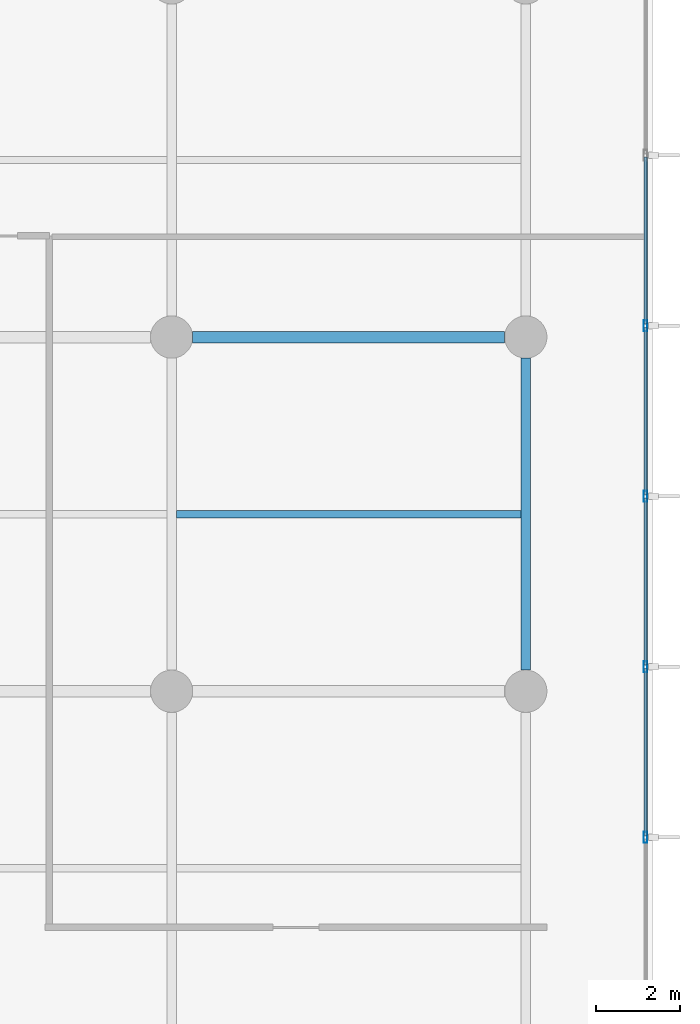
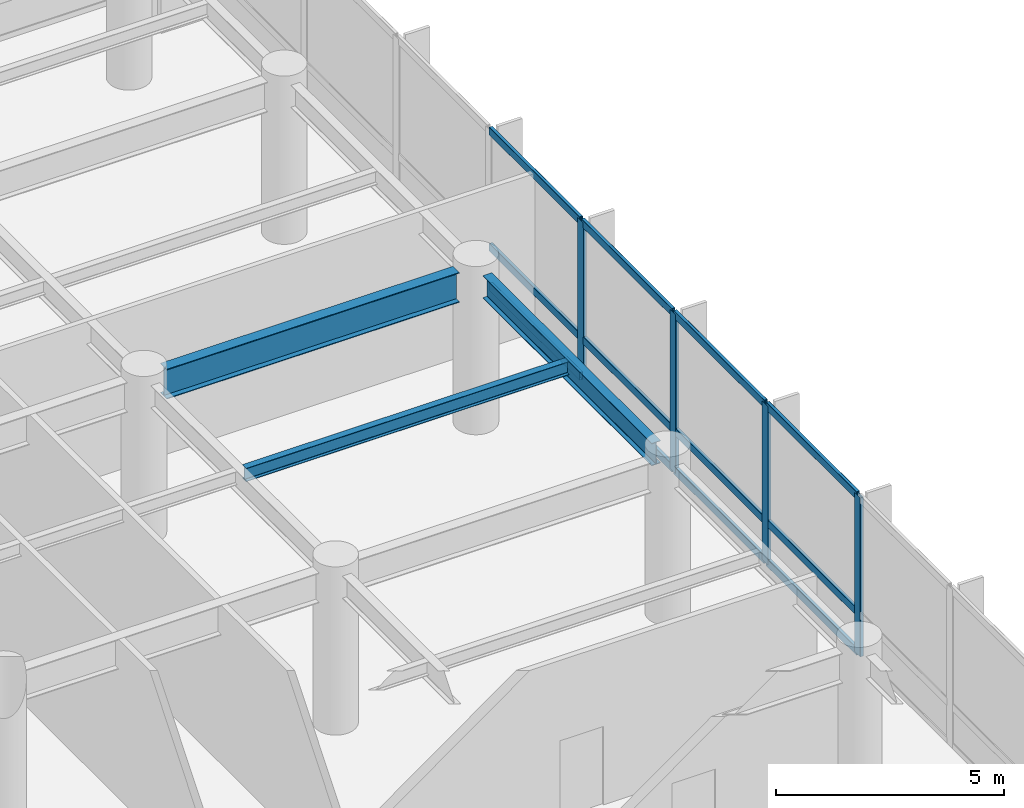
# One storey, part 9 of 26: 16 members, 3 beams, 1 element without a shape of its own.
"""IFC4 building model written with IfcOpenShell, lengths in metres."""

import ifcopenshell
import ifcopenshell.guid

model = None  # the IFC model being written
_history = None  # IfcOwnerHistory: only IFC2X3 demands one
_inside = {}  # id of a spatial element -> (the spatial element, [elements in it])
_under = {}  # id of a project, library or spatial element -> (it, [spatial elements below it])
_declared = {}  # id of a project -> (the project, [libraries it declares])
_typed = {}  # id of a type object -> (the type object, [elements of that type])
_made_of = {}  # id of a material, layer set ... -> (it, [elements and type objects made of it])


def new_model(schema):
    """Start an empty IFC model of exactly this schema.

    Asked for "IFC4X3", IfcOpenShell would pick the latest addendum, in which some entities
    have other attributes; the version numbers below select the first issue.
    IFC2X3 requires an IfcOwnerHistory on every rooted entity: one is made here for all.
    """
    global model, _history
    if schema == "IFC4X3":
        model = ifcopenshell.file(schema_version=(4, 3, 0, 0))
    else:
        model = ifcopenshell.file(schema=schema)
    _inside.clear()
    _under.clear()
    _declared.clear()
    _typed.clear()
    _made_of.clear()
    _history = None
    if model.schema == "IFC2X3":
        org = make("IfcOrganization", Name="unknown")
        user = make(
            "IfcPersonAndOrganization",
            ThePerson=make("IfcPerson", FamilyName="unknown"),
            TheOrganization=org,
        )
        app = make(
            "IfcApplication",
            ApplicationDeveloper=org,
            Version="unknown",
            ApplicationFullName="unknown",
            ApplicationIdentifier="unknown",
        )
        _history = make(
            "IfcOwnerHistory",
            OwningUser=user,
            OwningApplication=app,
            ChangeAction="ADDED",
            CreationDate=0,
        )
    return model


def make(cls, **values):
    """One entity of the class cls with the attributes given. An attribute that is None is left unset."""
    return model.create_entity(
        cls, **{name: value for name, value in values.items() if value is not None}
    )


def rooted(cls, **values):
    """An entity with a GlobalId (a new one), such as an element, a storey or a relation."""
    return make(cls, GlobalId=ifcopenshell.guid.new(), OwnerHistory=_history, **values)


def si_unit(unit_type, name, prefix=None):
    """IfcSIUnit, for example si_unit("LENGTHUNIT", "METRE", prefix="MILLI")."""
    return make("IfcSIUnit", UnitType=unit_type, Prefix=prefix, Name=name)


def assignment(units):
    """IfcUnitAssignment: the units of a project."""
    return None if units is None else make("IfcUnitAssignment", Units=units)


def point(xyz):
    """IfcCartesianPoint."""
    return None if xyz is None else make("IfcCartesianPoint", Coordinates=xyz)


def direction(xyz):
    """IfcDirection."""
    return None if xyz is None else make("IfcDirection", DirectionRatios=xyz)


def frame(location, z_axis=None, x_axis=None):
    """IfcAxis2Placement3D, a coordinate frame: its origin and axes. An axis left out is left unset."""
    return make(
        "IfcAxis2Placement3D",
        Location=point(location),
        Axis=direction(z_axis),
        RefDirection=direction(x_axis),
    )


def frame_2d(location, x_axis=None):
    """IfcAxis2Placement2D, a coordinate frame in the plane: its origin and x axis."""
    return make(
        "IfcAxis2Placement2D", Location=point(location), RefDirection=direction(x_axis)
    )


def origin():
    """The frame at (0, 0, 0) with its axes left unset."""
    return frame((0.0, 0.0, 0.0))


def origin_2d():
    """The frame at (0, 0) in the plane with its x axis left unset."""
    return frame_2d((0.0, 0.0))


def place(relative_to, where):
    """IfcLocalPlacement: puts the frame where relative to a parent placement (None: the world)."""
    return make(
        "IfcLocalPlacement", PlacementRelTo=relative_to, RelativePlacement=where
    )


def context(
    kind, dimensions, precision=None, world=None, true_north=None, identifier=None
):
    """IfcGeometricRepresentationContext, for example the 3D "Model" context."""
    return make(
        "IfcGeometricRepresentationContext",
        ContextIdentifier=identifier,
        ContextType=kind,
        CoordinateSpaceDimension=dimensions,
        Precision=precision,
        WorldCoordinateSystem=world,
        TrueNorth=true_north,
    )


def subcontext(parent, identifier, kind, view, scale=None):
    """IfcGeometricRepresentationSubContext, for example "Body" below "Model"."""
    return make(
        "IfcGeometricRepresentationSubContext",
        ContextIdentifier=identifier,
        ContextType=kind,
        ParentContext=parent,
        TargetScale=scale,
        TargetView=view,
    )


def project(units=None, contexts=None):
    """IfcProject with its units and contexts."""
    return rooted(
        "IfcProject",
        Name="project",
        RepresentationContexts=contexts,
        UnitsInContext=assignment(units),
    )


def spatial(cls, under=None, at=None, **own):
    """A site, building, storey or space (cls), placed at a placement, below another one or the project."""
    s = rooted(cls, ObjectPlacement=at, **own)
    if under is not None:
        _under.setdefault(under.id(), (under, []))[1].append(s)
    return s


def profile(cls, at=None, kind="AREA", **sizes):
    """A parametric profile (cls). Its sizes go by their IFC names, for example OverallWidth=200.0."""
    return make(cls, ProfileType=kind, Position=at, **sizes)


def hollow_rectangle(**sizes):
    """IfcRectangleHollowProfileDef."""
    return profile("IfcRectangleHollowProfileDef", **sizes)


def i_section(**sizes):
    """IfcIShapeProfileDef."""
    return profile("IfcIShapeProfileDef", **sizes)


def extrude(swept, where, along, depth):
    """IfcExtrudedAreaSolid: the profile swept, set in the frame where, extruded along a direction by depth."""
    return make(
        "IfcExtrudedAreaSolid",
        SweptArea=swept,
        Position=where,
        ExtrudedDirection=direction(along),
        Depth=depth,
    )


def shape(context_of_items, identifier, shape_type, items):
    """IfcShapeRepresentation: the items that make up one representation, for example the "Body"."""
    return make(
        "IfcShapeRepresentation",
        ContextOfItems=context_of_items,
        RepresentationIdentifier=identifier,
        RepresentationType=shape_type,
        Items=items,
    )


def material(Name=None, Category=None):
    """IfcMaterial."""
    return make("IfcMaterial", Name=Name, Category=Category)


def layer(
    of_material, thickness, ventilated=None, Name=None, Category=None, Priority=None
):
    """IfcMaterialLayer: one layer of a wall or slab, of a material (None: an air gap)."""
    return make(
        "IfcMaterialLayer",
        Material=of_material,
        LayerThickness=thickness,
        IsVentilated=ventilated,
        Name=Name,
        Category=Category,
        Priority=Priority,
    )


def layer_set(layers, Name=None):
    """IfcMaterialLayerSet."""
    return make("IfcMaterialLayerSet", MaterialLayers=layers, LayerSetName=Name)


def material_profile(
    of_material, cross_section, Name=None, Category=None, Priority=None
):
    """IfcMaterialProfile: a cross section and its material."""
    return make(
        "IfcMaterialProfile",
        Name=Name,
        Material=of_material,
        Profile=cross_section,
        Priority=Priority,
        Category=Category,
    )


def profile_set(profiles, Name=None, composite=None):
    """IfcMaterialProfileSet."""
    return make(
        "IfcMaterialProfileSet",
        Name=Name,
        MaterialProfiles=profiles,
        CompositeProfile=composite,
    )


def made_of(thing, what):
    """Note that an element or type object is made of a material, layer set ...; save() writes the relation."""
    if what is not None:
        _made_of.setdefault(what.id(), (what, []))[1].append(thing)
    return thing


def type_object(cls, material=None, **own):
    """A type object (cls), such as IfcWallType, which elements share."""
    return made_of(rooted(cls, **own), material)


def element(
    cls,
    number,
    at=None,
    inside=None,
    cuts=None,
    type_object=None,
    material=None,
    context=None,
    identifier="Body",
    shape_type=None,
    held_by="IfcProductDefinitionShape",
    body=None,
    shapes=None,
    **own,
):
    """One element of the class cls, such as IfcWall. Its Tag is "e" and its number.

    at: its placement. inside: the storey or other place that contains it. cuts: it is an
    opening in that element (IfcRelVoidsElement). A single representation is given by context,
    identifier, shape_type and body (its items); several are given by shapes. held_by: the class
    of the entity that holds the representations. save() writes the other relations.
    """
    e = rooted(cls, Tag="e%d" % number, ObjectPlacement=at, **own)
    if body is not None:
        shapes = [shape(context, identifier, shape_type, body)]
    if shapes is not None:
        e.Representation = make(held_by, Representations=shapes)
    if inside is not None:
        _inside.setdefault(inside.id(), (inside, []))[1].append(e)
    if cuts is not None:
        rooted(
            "IfcRelVoidsElement", RelatingBuildingElement=cuts, RelatedOpeningElement=e
        )
    if type_object is not None:
        _typed.setdefault(type_object.id(), (type_object, []))[1].append(e)
    return made_of(e, material)


def aggregate(whole, parts):
    """IfcRelAggregates: a whole, such as a stair, and the parts it consists of."""
    return rooted("IfcRelAggregates", RelatingObject=whole, RelatedObjects=parts)


def save(model, path):
    """Write the relations noted so far, then the file.

    IfcRelAggregates (storeys below a building ...), IfcRelContainedInSpatialStructure (elements
    in a storey), IfcRelDefinesByType, IfcRelAssociatesMaterial and IfcRelDeclares: one each for
    every whole, place, type object, material and project.
    """
    for whole, parts in _under.values():
        aggregate(whole, parts)
    for where, things in _inside.values():
        rooted(
            "IfcRelContainedInSpatialStructure",
            RelatedElements=things,
            RelatingStructure=where,
        )
    for kind, things in _typed.values():
        rooted("IfcRelDefinesByType", RelatedObjects=things, RelatingType=kind)
    for what, things in _made_of.values():
        rooted("IfcRelAssociatesMaterial", RelatedObjects=things, RelatingMaterial=what)
    for by, libraries in _declared.values():
        rooted("IfcRelDeclares", RelatingContext=by, RelatedDefinitions=libraries)
    model.write(path)


model = new_model("IFC4")

# Units and contexts
model_context = context("Model", 3, precision=1e-05, world=origin(), true_north=direction((0.0, 1.0)))
body_context = subcontext(model_context, "Body", "Model", "MODEL_VIEW")
ifc_project = project(units=[si_unit("LENGTHUNIT", "METRE"), si_unit("AREAUNIT", "SQUARE_METRE"), si_unit("VOLUMEUNIT", "CUBIC_METRE"), si_unit("PLANEANGLEUNIT", "RADIAN"), si_unit("MASSUNIT", "GRAM", prefix="KILO")], contexts=[model_context])

# Site, building, storey
site_placement = place(None, origin())
site = spatial("IfcSite", under=ifc_project, at=site_placement, CompositionType="ELEMENT")
building_placement = place(site_placement, origin())
building = spatial("IfcBuilding", under=site, at=building_placement, Name="Varnakote Quay Hospital", CompositionType="ELEMENT")
storey_placement = place(building_placement, frame((0.0, 0.0, 9.0)))
storey = spatial("IfcBuildingStorey", under=building, at=storey_placement, Name="L02", CompositionType="ELEMENT", Elevation=9.0)

# Beams
ifc_material_1 = material(Name="Structural steel AS/NZS 3679.1 Grade 350 L0 (fy 340 MPa)", Category="steel")
ifc_material_profile_1 = material_profile(ifc_material_1, i_section(OverallWidth=0.22802734375, OverallDepth=0.60205078125, WebThickness=0.010498046875, FlangeThickness=0.014892578125, FilletRadius=0.013916015625, at=origin_2d()), Name="610UB101")
ifc_profile_set_1 = profile_set([ifc_material_profile_1], Name="Structural steel AS/NZS 3679.1 Grade 350 L0 (fy 340 MPa)")
beam_type_1 = type_object("IfcBeamType", Name="BM-STL-610UB101", PredefinedType="BEAM", material=ifc_profile_set_1)
beam_1_placement = place(storey_placement, frame((84.0, 20.89990234375, 3.948974609375), z_axis=(0.0, 1.0, 0.0), x_axis=(-1.0, 0.0, 0.0)))
element("IfcBeam", 1, at=beam_1_placement, inside=storey, type_object=beam_type_1, Name="L02 Primary Tie Beam", PredefinedType="BEAM", context=body_context, shape_type="SweptSolid", body=[
    extrude(i_section(OverallWidth=0.22802734375, OverallDepth=0.60205078125, WebThickness=0.010498046875, FlangeThickness=0.014892578125, FilletRadius=0.013916015625, at=origin_2d()), origin(), (0.0, 0.0, 1.0), 7.400146484375),
])
ifc_material_2 = material(Name="Structural steel AS/NZS 3678 Grade 350 (fy 340 MPa)", Category="steel")
ifc_material_profile_2 = material_profile(ifc_material_2, i_section(OverallWidth=0.27490234375, OverallDepth=0.800048828125, WebThickness=0.010009765625, FlangeThickness=0.02001953125, at=origin_2d()), Name="800WB146")
ifc_profile_set_2 = profile_set([ifc_material_profile_2], Name="Structural steel AS/NZS 3678 Grade 350 (fy 340 MPa)")
beam_type_2 = type_object("IfcBeamType", Name="BM-STL-800WB146", PredefinedType="BEAM", material=ifc_profile_set_2)
beam_2_placement = place(storey_placement, frame((76.10009765625, 28.800048828125, 3.85009765625), z_axis=(1.0, 0.0, 0.0), x_axis=(0.0, 1.0, 0.0)))
element("IfcBeam", 2, at=beam_2_placement, inside=storey, type_object=beam_type_2, Name="L02 Primary Floor Beam", PredefinedType="BEAM", context=body_context, shape_type="SweptSolid", body=[
    extrude(i_section(OverallWidth=0.27490234375, OverallDepth=0.800048828125, WebThickness=0.010009765625, FlangeThickness=0.02001953125, at=origin_2d()), origin(), (0.0, 0.0, 1.0), 7.39990234375),
])

# Curtain wall, members
ifc_material_3 = material(Name="Anodised aluminium 6063-T6 Bronze", Category="aluminium")
ifc_layer = layer(ifc_material_3, 0.175048828125)
ifc_layer_set = layer_set([ifc_layer], Name="Anodised aluminium 6063-T6 Bronze")
curtain_wall_type = type_object("IfcCurtainWallType", Name="CW-SYS-1", PredefinedType="NOTDEFINED", material=ifc_layer_set)
curtain_wall_placement = place(storey_placement, origin())
curtain_wall = element("IfcCurtainWall", 3, at=curtain_wall_placement, inside=storey, type_object=curtain_wall_type, Name="L02 Unitised Bronze Curtain Wall 1", PredefinedType="NOTDEFINED")
ifc_material_4 = material(Name="Anodised aluminium 6063-T6 Bronze", Category="aluminium")
ifc_material_profile_3 = material_profile(ifc_material_4, hollow_rectangle(XDim=0.0849609375, YDim=0.260009765625, WallThickness=0.0048828125, InnerFilletRadius=0.0048828125, OuterFilletRadius=0.010009765625, at=origin_2d()), Name="CW-MULL-260x85")
ifc_profile_set_3 = profile_set([ifc_material_profile_3], Name="Anodised aluminium 6063-T6 Bronze")
member_type_1 = type_object("IfcMemberType", Name="CW-MULL-260x85", PredefinedType="MULLION", material=ifc_profile_set_3)
member_1_placement = place(storey_placement, frame((86.840087890625, 16.9345703125, 0.0), z_axis=(0.0, 0.0, 1.0), x_axis=(-1.0, 0.0, 0.0)))
member_1 = element("IfcMember", 4, at=member_1_placement, type_object=member_type_1, Name="-1-L02-1 mullion 5", PredefinedType="MULLION", context=body_context, shape_type="SweptSolid", body=[
    extrude(hollow_rectangle(XDim=0.0849609375, YDim=0.260009765625, WallThickness=0.0048828125, InnerFilletRadius=0.0048828125, OuterFilletRadius=0.010009765625, at=origin_2d()), origin(), (0.0, 0.0, 1.0), 4.25),
])
member_2_placement = place(storey_placement, frame((86.840087890625, 20.978271484375, 0.0), z_axis=(0.0, 0.0, 1.0), x_axis=(-1.0, 0.0, 0.0)))
member_2 = element("IfcMember", 5, at=member_2_placement, type_object=member_type_1, Name="-1-L02-1 mullion 6", PredefinedType="MULLION", context=body_context, shape_type="SweptSolid", body=[
    extrude(hollow_rectangle(XDim=0.0849609375, YDim=0.260009765625, WallThickness=0.0048828125, InnerFilletRadius=0.0048828125, OuterFilletRadius=0.010009765625, at=origin_2d()), origin(), (0.0, 0.0, 1.0), 4.25),
])
member_3_placement = place(storey_placement, frame((86.840087890625, 25.021728515625, 0.0), z_axis=(0.0, 0.0, 1.0), x_axis=(-1.0, 0.0, 0.0)))
member_3 = element("IfcMember", 6, at=member_3_placement, type_object=member_type_1, Name="-1-L02-1 mullion 7", PredefinedType="MULLION", context=body_context, shape_type="SweptSolid", body=[
    extrude(hollow_rectangle(XDim=0.0849609375, YDim=0.260009765625, WallThickness=0.0048828125, InnerFilletRadius=0.0048828125, OuterFilletRadius=0.010009765625, at=origin_2d()), origin(), (0.0, 0.0, 1.0), 4.25),
])
member_4_placement = place(storey_placement, frame((86.840087890625, 29.0654296875, 0.0), z_axis=(0.0, 0.0, 1.0), x_axis=(-1.0, 0.0, 0.0)))
member_4 = element("IfcMember", 7, at=member_4_placement, type_object=member_type_1, Name="-1-L02-1 mullion 8", PredefinedType="MULLION", context=body_context, shape_type="SweptSolid", body=[
    extrude(hollow_rectangle(XDim=0.0849609375, YDim=0.260009765625, WallThickness=0.0048828125, InnerFilletRadius=0.0048828125, OuterFilletRadius=0.010009765625, at=origin_2d()), origin(), (0.0, 0.0, 1.0), 4.25),
])
ifc_material_5 = material(Name="Anodised aluminium 6063-T6 Bronze", Category="aluminium")
ifc_material_profile_4 = material_profile(ifc_material_5, hollow_rectangle(XDim=0.0849609375, YDim=0.2099609375, WallThickness=0.00439453125, InnerFilletRadius=0.00439453125, OuterFilletRadius=0.009033203125, at=origin_2d()), Name="CW-TRAN-210x85")
ifc_profile_set_4 = profile_set([ifc_material_profile_4], Name="Anodised aluminium 6063-T6 Bronze")
member_type_2 = type_object("IfcMemberType", Name="CW-TRAN-210x85", PredefinedType="USERDEFINED", material=ifc_profile_set_4)
member_5_placement = place(storey_placement, frame((86.840087890625, 16.97705078125, 0.04248046875), z_axis=(0.0, 1.0, 0.0), x_axis=(-1.0, 0.0, 0.0)))
member_5 = element("IfcMember", 8, at=member_5_placement, type_object=member_type_2, Name="-1-L02-1 transom 5.1", ObjectType="TRANSOM", PredefinedType="USERDEFINED", context=body_context, shape_type="SweptSolid", body=[
    extrude(hollow_rectangle(XDim=0.0849609375, YDim=0.2099609375, WallThickness=0.00439453125, InnerFilletRadius=0.00439453125, OuterFilletRadius=0.009033203125, at=origin_2d()), origin(), (0.0, 0.0, 1.0), 3.958740234375),
])
member_6_placement = place(storey_placement, frame((86.840087890625, 16.97705078125, 1.10009765625), z_axis=(0.0, 1.0, 0.0), x_axis=(-1.0, 0.0, 0.0)))
member_6 = element("IfcMember", 9, at=member_6_placement, type_object=member_type_2, Name="-1-L02-1 transom 5.2", ObjectType="TRANSOM", PredefinedType="USERDEFINED", context=body_context, shape_type="SweptSolid", body=[
    extrude(hollow_rectangle(XDim=0.0849609375, YDim=0.2099609375, WallThickness=0.00439453125, InnerFilletRadius=0.00439453125, OuterFilletRadius=0.009033203125, at=origin_2d()), origin(), (0.0, 0.0, 1.0), 3.958740234375),
])
member_7_placement = place(storey_placement, frame((86.840087890625, 16.97705078125, 4.20751953125), z_axis=(0.0, 1.0, 0.0), x_axis=(-1.0, 0.0, 0.0)))
member_7 = element("IfcMember", 10, at=member_7_placement, type_object=member_type_2, Name="-1-L02-1 transom 5.3", ObjectType="TRANSOM", PredefinedType="USERDEFINED", context=body_context, shape_type="SweptSolid", body=[
    extrude(hollow_rectangle(XDim=0.0849609375, YDim=0.2099609375, WallThickness=0.00439453125, InnerFilletRadius=0.00439453125, OuterFilletRadius=0.009033203125, at=origin_2d()), origin(), (0.0, 0.0, 1.0), 3.958740234375),
])
member_8_placement = place(storey_placement, frame((86.840087890625, 21.020751953125, 0.04248046875), z_axis=(0.0, 1.0, 0.0), x_axis=(-1.0, 0.0, 0.0)))
member_8 = element("IfcMember", 11, at=member_8_placement, type_object=member_type_2, Name="-1-L02-1 transom 6.1", ObjectType="TRANSOM", PredefinedType="USERDEFINED", context=body_context, shape_type="SweptSolid", body=[
    extrude(hollow_rectangle(XDim=0.0849609375, YDim=0.2099609375, WallThickness=0.00439453125, InnerFilletRadius=0.00439453125, OuterFilletRadius=0.009033203125, at=origin_2d()), origin(), (0.0, 0.0, 1.0), 3.95849609375),
])
member_9_placement = place(storey_placement, frame((86.840087890625, 21.020751953125, 1.10009765625), z_axis=(0.0, 1.0, 0.0), x_axis=(-1.0, 0.0, 0.0)))
member_9 = element("IfcMember", 12, at=member_9_placement, type_object=member_type_2, Name="-1-L02-1 transom 6.2", ObjectType="TRANSOM", PredefinedType="USERDEFINED", context=body_context, shape_type="SweptSolid", body=[
    extrude(hollow_rectangle(XDim=0.0849609375, YDim=0.2099609375, WallThickness=0.00439453125, InnerFilletRadius=0.00439453125, OuterFilletRadius=0.009033203125, at=origin_2d()), origin(), (0.0, 0.0, 1.0), 3.95849609375),
])
member_10_placement = place(storey_placement, frame((86.840087890625, 21.020751953125, 4.20751953125), z_axis=(0.0, 1.0, 0.0), x_axis=(-1.0, 0.0, 0.0)))
member_10 = element("IfcMember", 13, at=member_10_placement, type_object=member_type_2, Name="-1-L02-1 transom 6.3", ObjectType="TRANSOM", PredefinedType="USERDEFINED", context=body_context, shape_type="SweptSolid", body=[
    extrude(hollow_rectangle(XDim=0.0849609375, YDim=0.2099609375, WallThickness=0.00439453125, InnerFilletRadius=0.00439453125, OuterFilletRadius=0.009033203125, at=origin_2d()), origin(), (0.0, 0.0, 1.0), 3.95849609375),
])
member_11_placement = place(storey_placement, frame((86.840087890625, 25.064208984375, 0.04248046875), z_axis=(0.0, 1.0, 0.0), x_axis=(-1.0, 0.0, 0.0)))
member_11 = element("IfcMember", 14, at=member_11_placement, type_object=member_type_2, Name="-1-L02-1 transom 7.1", ObjectType="TRANSOM", PredefinedType="USERDEFINED", context=body_context, shape_type="SweptSolid", body=[
    extrude(hollow_rectangle(XDim=0.0849609375, YDim=0.2099609375, WallThickness=0.00439453125, InnerFilletRadius=0.00439453125, OuterFilletRadius=0.009033203125, at=origin_2d()), origin(), (0.0, 0.0, 1.0), 3.958740234375),
])
member_12_placement = place(storey_placement, frame((86.840087890625, 25.064208984375, 1.10009765625), z_axis=(0.0, 1.0, 0.0), x_axis=(-1.0, 0.0, 0.0)))
member_12 = element("IfcMember", 15, at=member_12_placement, type_object=member_type_2, Name="-1-L02-1 transom 7.2", ObjectType="TRANSOM", PredefinedType="USERDEFINED", context=body_context, shape_type="SweptSolid", body=[
    extrude(hollow_rectangle(XDim=0.0849609375, YDim=0.2099609375, WallThickness=0.00439453125, InnerFilletRadius=0.00439453125, OuterFilletRadius=0.009033203125, at=origin_2d()), origin(), (0.0, 0.0, 1.0), 3.958740234375),
])
member_13_placement = place(storey_placement, frame((86.840087890625, 25.064208984375, 4.20751953125), z_axis=(0.0, 1.0, 0.0), x_axis=(-1.0, 0.0, 0.0)))
member_13 = element("IfcMember", 16, at=member_13_placement, type_object=member_type_2, Name="-1-L02-1 transom 7.3", ObjectType="TRANSOM", PredefinedType="USERDEFINED", context=body_context, shape_type="SweptSolid", body=[
    extrude(hollow_rectangle(XDim=0.0849609375, YDim=0.2099609375, WallThickness=0.00439453125, InnerFilletRadius=0.00439453125, OuterFilletRadius=0.009033203125, at=origin_2d()), origin(), (0.0, 0.0, 1.0), 3.958740234375),
])
member_14_placement = place(storey_placement, frame((86.840087890625, 29.10791015625, 0.04248046875), z_axis=(0.0, 1.0, 0.0), x_axis=(-1.0, 0.0, 0.0)))
member_14 = element("IfcMember", 17, at=member_14_placement, type_object=member_type_2, Name="-1-L02-1 transom 8.1", ObjectType="TRANSOM", PredefinedType="USERDEFINED", context=body_context, shape_type="SweptSolid", body=[
    extrude(hollow_rectangle(XDim=0.0849609375, YDim=0.2099609375, WallThickness=0.00439453125, InnerFilletRadius=0.00439453125, OuterFilletRadius=0.009033203125, at=origin_2d()), origin(), (0.0, 0.0, 1.0), 3.958740234375),
])
member_15_placement = place(storey_placement, frame((86.840087890625, 29.10791015625, 1.10009765625), z_axis=(0.0, 1.0, 0.0), x_axis=(-1.0, 0.0, 0.0)))
member_15 = element("IfcMember", 18, at=member_15_placement, type_object=member_type_2, Name="-1-L02-1 transom 8.2", ObjectType="TRANSOM", PredefinedType="USERDEFINED", context=body_context, shape_type="SweptSolid", body=[
    extrude(hollow_rectangle(XDim=0.0849609375, YDim=0.2099609375, WallThickness=0.00439453125, InnerFilletRadius=0.00439453125, OuterFilletRadius=0.009033203125, at=origin_2d()), origin(), (0.0, 0.0, 1.0), 3.958740234375),
])
member_16_placement = place(storey_placement, frame((86.840087890625, 29.10791015625, 4.20751953125), z_axis=(0.0, 1.0, 0.0), x_axis=(-1.0, 0.0, 0.0)))
member_16 = element("IfcMember", 19, at=member_16_placement, type_object=member_type_2, Name="-1-L02-1 transom 8.3", ObjectType="TRANSOM", PredefinedType="USERDEFINED", context=body_context, shape_type="SweptSolid", body=[
    extrude(hollow_rectangle(XDim=0.0849609375, YDim=0.2099609375, WallThickness=0.00439453125, InnerFilletRadius=0.00439453125, OuterFilletRadius=0.009033203125, at=origin_2d()), origin(), (0.0, 0.0, 1.0), 3.958740234375),
])
aggregate(curtain_wall, [member_1, member_2, member_3, member_4, member_5, member_6, member_7, member_8, member_9, member_10, member_11, member_12, member_13, member_14, member_15, member_16])

# Beam
ifc_material_6 = material(Name="Structural steel AS/NZS 3679.1 Grade 350 L0 (fy 340 MPa)", Category="steel")
ifc_material_profile_5 = material_profile(ifc_material_6, i_section(OverallWidth=0.1708984375, OverallDepth=0.35595703125, WebThickness=0.00732421875, FlangeThickness=0.011474609375, FilletRadius=0.011474609375, at=origin_2d()), Name="360UB50.7")
ifc_profile_set_5 = profile_set([ifc_material_profile_5], Name="Structural steel AS/NZS 3679.1 Grade 350 L0 (fy 340 MPa)")
beam_type_3 = type_object("IfcBeamType", Name="JST-STL-360UB50-7", PredefinedType="JOIST", material=ifc_profile_set_5)
beam_3_placement = place(storey_placement, frame((75.714111328125, 24.60009765625, 4.072021484375), z_axis=(1.0, 0.0, 0.0), x_axis=(0.0, 1.0, 0.0)))
element("IfcBeam", 20, at=beam_3_placement, inside=storey, type_object=beam_type_3, Name="L02 Composite Floor Joist", PredefinedType="JOIST", context=body_context, shape_type="SweptSolid", body=[
    extrude(i_section(OverallWidth=0.1708984375, OverallDepth=0.35595703125, WebThickness=0.00732421875, FlangeThickness=0.011474609375, FilletRadius=0.011474609375, at=origin_2d()), origin(), (0.0, 0.0, 1.0), 8.171875),
])

save(model, "model.ifc")
